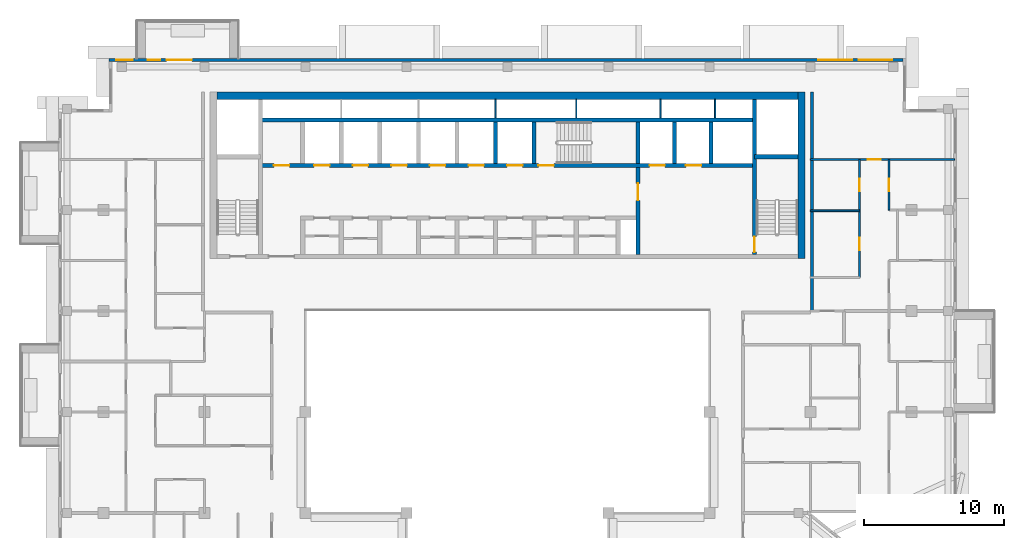
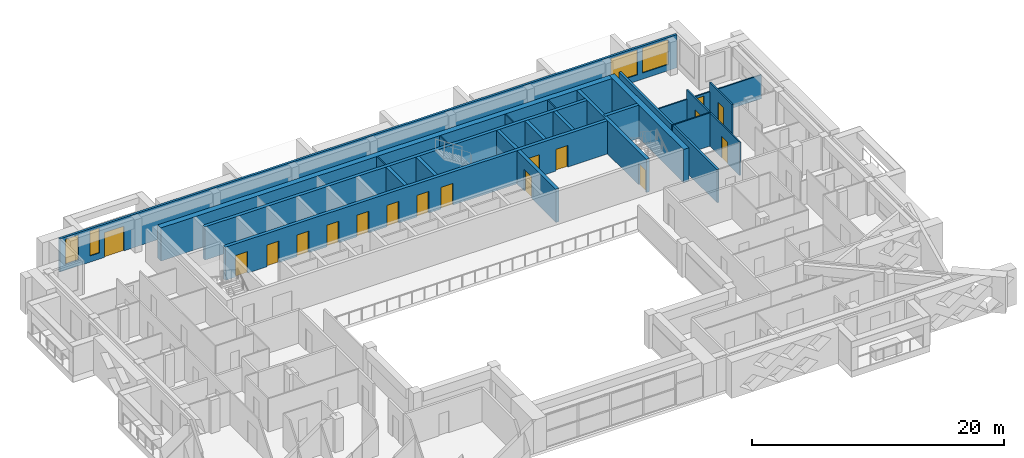
# One storey, part 11 of 19: 22 walls, 17 doors, 4 windows, 21 openings.
"""IFC4 building model written with IfcOpenShell, lengths in metres."""

from ifc_helpers import new_model, si_unit, direction, frame, frame_2d, origin, place, context, subcontext, project, spatial, rectangle, extrude, material, layer, layer_set, type_object, element, fill, save


model = new_model("IFC4")

# Units and contexts
model_context = context("Model", 3, precision=1e-05, world=origin(), true_north=direction((0.0, 1.0)))
body_context = subcontext(model_context, "Body", "Model", "MODEL_VIEW")
ifc_project = project(units=[si_unit("LENGTHUNIT", "METRE"), si_unit("AREAUNIT", "SQUARE_METRE"), si_unit("VOLUMEUNIT", "CUBIC_METRE"), si_unit("PLANEANGLEUNIT", "RADIAN"), si_unit("MASSUNIT", "GRAM", prefix="KILO")], contexts=[model_context])

# Site, building, storey
site_placement = place(None, origin())
site = spatial("IfcSite", under=ifc_project, at=site_placement, CompositionType="ELEMENT")
building_placement = place(site_placement, origin())
building = spatial("IfcBuilding", under=site, at=building_placement, Name="Saffron Iwan Residences", CompositionType="ELEMENT")
storey_placement = place(building_placement, frame((0.0, 0.0, 239.5)))
storey = spatial("IfcBuildingStorey", under=building, at=storey_placement, Name="L64", CompositionType="ELEMENT", Elevation=239.5)

# Wall, openings, door, windows
ifc_material_1 = material(Name="Concrete C40/50", Category="concrete")
ifc_layer_1 = layer(ifc_material_1, 0.199951171875)
ifc_layer_set_1 = layer_set([ifc_layer_1], Name="Concrete C40/50")
wall_type_1 = type_object("IfcWallType", Name="EXTERNAL WALL 200", PredefinedType="SOLIDWALL", material=ifc_layer_set_1)
wall_1_placement = place(storey_placement, frame((78.60009765625, 80.300048828125, 0.0), z_axis=(0.0, 0.0, 1.0), x_axis=(-1.0, 0.0, 0.0)))
wall_1 = element("IfcWall", 1, at=wall_1_placement, inside=storey, type_object=wall_type_1, Name="External wall L64 F5.0", PredefinedType="SOLIDWALL", context=body_context, shape_type="SweptSolid", body=[
    extrude(rectangle(XDim=56.60009765625, YDim=0.199951171875, at=frame_2d((28.300048828125, 0.0))), origin(), (0.0, 0.0, 1.0), 3.219970703125),
])
opening_1_placement = place(wall_1_placement, frame((50.699951171875, 0.0, 0.0)))
opening_1 = element("IfcOpeningElement", 2, at=opening_1_placement, cuts=wall_1, Name="Opening BD1", PredefinedType="OPENING", context=body_context, shape_type="SweptSolid", body=[
    extrude(rectangle(XDim=1.800048828125, YDim=2.39990234375, at=frame_2d((0.89990234375, 1.199951171875))), frame((0.0, 0.10986328125, 0.0), z_axis=(0.0, -1.0, 0.0), x_axis=(1.0, 0.0, 0.0)), (0.0, 0.0, 1.0), 0.219970703125),
])
opening_2_placement = place(wall_1_placement, frame((52.949951171875, 0.0, 0.60009765625)))
opening_2 = element("IfcOpeningElement", 3, at=opening_2_placement, cuts=wall_1, Name="Opening W10", PredefinedType="OPENING", context=body_context, shape_type="SweptSolid", body=[
    extrude(rectangle(XDim=0.89990234375, YDim=2.39990234375, at=frame_2d((0.449951171875, 1.199951171875))), frame((0.0, 0.10986328125, 0.0), z_axis=(0.0, -1.0, 0.0), x_axis=(1.0, 0.0, 0.0)), (0.0, 0.0, 1.0), 0.219970703125),
])
opening_3_placement = place(wall_1_placement, frame((54.89990234375, 0.0, 0.60009765625)))
opening_3 = element("IfcOpeningElement", 4, at=opening_3_placement, cuts=wall_1, Name="Opening W3", PredefinedType="OPENING", context=body_context, shape_type="SweptSolid", body=[
    extrude(rectangle(XDim=1.199951171875, YDim=2.39990234375, at=frame_2d((0.60009765625, 1.199951171875))), frame((0.0, 0.10986328125, 0.0), z_axis=(0.0, -1.0, 0.0), x_axis=(1.0, 0.0, 0.0)), (0.0, 0.0, 1.0), 0.219970703125),
])
opening_4_placement = place(wall_1_placement, frame((0.7666015625, 0.0, 0.60009765625)))
opening_4 = element("IfcOpeningElement", 5, at=opening_4_placement, cuts=wall_1, Name="Opening W1", PredefinedType="OPENING", context=body_context, shape_type="SweptSolid", body=[
    extrude(rectangle(XDim=2.39990234375, YDim=2.39990234375, at=frame_2d((1.199951171875, 1.199951171875))), frame((0.0, 0.10986328125, 0.0), z_axis=(0.0, -1.0, 0.0), x_axis=(1.0, 0.0, 0.0)), (0.0, 0.0, 1.0), 0.219970703125),
])
opening_5_placement = place(wall_1_placement, frame((3.63330078125, 0.0, 0.60009765625)))
opening_5 = element("IfcOpeningElement", 6, at=opening_5_placement, cuts=wall_1, Name="Opening W1", PredefinedType="OPENING", context=body_context, shape_type="SweptSolid", body=[
    extrude(rectangle(XDim=2.39990234375, YDim=2.39990234375, at=frame_2d((1.199951171875, 1.199951171875))), frame((0.0, 0.10986328125, 0.0), z_axis=(0.0, -1.0, 0.0), x_axis=(1.0, 0.0, 0.0)), (0.0, 0.0, 1.0), 0.219970703125),
])
ifc_material_2 = material(Name="Clear glass, laminated double glazed", Category="glass")
door_type_1 = type_object("IfcDoorType", Name="BALCONY DOOR 1800 x 2400", OperationType="DOUBLE_DOOR_SLIDING", PredefinedType="DOOR", material=ifc_material_2)
door_1_placement = place(opening_1_placement, origin())
door_1 = element("IfcDoor", 7, at=door_1_placement, inside=storey, type_object=door_type_1, Name="Balcony door L64 F5.0", OperationType="DOUBLE_DOOR_SLIDING", OverallHeight=2.39990234375, OverallWidth=1.800048828125, PredefinedType="DOOR", context=body_context, shape_type="SweptSolid", body=[
    extrude(rectangle(XDim=1.800048828125, YDim=2.39990234375, at=frame_2d((0.89990234375, 1.199951171875))), frame((0.0, 0.02490234375, 0.0), z_axis=(0.0, -1.0, 0.0), x_axis=(1.0, 0.0, 0.0)), (0.0, 0.0, 1.0), 0.050048828125),
])
fill(opening_1, door_1)
window_type_1 = type_object("IfcWindowType", Name="WINDOW 1200 x 2400", PartitioningType="SINGLE_PANEL", PredefinedType="WINDOW", material=ifc_material_2)
window_1_placement = place(opening_3_placement, origin())
window_1 = element("IfcWindow", 8, at=window_1_placement, inside=storey, type_object=window_type_1, Name="Window L64 F5.2", OverallHeight=2.39990234375, OverallWidth=1.199951171875, PartitioningType="SINGLE_PANEL", PredefinedType="WINDOW", context=body_context, shape_type="SweptSolid", body=[
    extrude(rectangle(XDim=1.199951171875, YDim=2.39990234375, at=frame_2d((0.60009765625, 1.199951171875))), frame((0.0, 0.030029296875, 0.0), z_axis=(0.0, -1.0, 0.0), x_axis=(1.0, 0.0, 0.0)), (0.0, 0.0, 1.0), 0.06005859375),
])
fill(opening_3, window_1)
window_type_2 = type_object("IfcWindowType", Name="WINDOW 2400 x 2400", PartitioningType="DOUBLE_PANEL_VERTICAL", PredefinedType="WINDOW", material=ifc_material_2)
window_2_placement = place(opening_4_placement, origin())
window_2 = element("IfcWindow", 9, at=window_2_placement, inside=storey, type_object=window_type_2, Name="Window L64 F5.3", OverallHeight=2.39990234375, OverallWidth=2.39990234375, PartitioningType="DOUBLE_PANEL_VERTICAL", PredefinedType="WINDOW", context=body_context, shape_type="SweptSolid", body=[
    extrude(rectangle(XDim=2.39990234375, YDim=2.39990234375, at=frame_2d((1.199951171875, 1.199951171875))), frame((0.0, 0.030029296875, 0.0), z_axis=(0.0, -1.0, 0.0), x_axis=(1.0, 0.0, 0.0)), (0.0, 0.0, 1.0), 0.06005859375),
])
fill(opening_4, window_2)
window_3_placement = place(opening_5_placement, origin())
window_3 = element("IfcWindow", 10, at=window_3_placement, inside=storey, type_object=window_type_2, Name="Window L64 F5.4", OverallHeight=2.39990234375, OverallWidth=2.39990234375, PartitioningType="DOUBLE_PANEL_VERTICAL", PredefinedType="WINDOW", context=body_context, shape_type="SweptSolid", body=[
    extrude(rectangle(XDim=2.39990234375, YDim=2.39990234375, at=frame_2d((1.199951171875, 1.199951171875))), frame((0.0, 0.030029296875, 0.0), z_axis=(0.0, -1.0, 0.0), x_axis=(1.0, 0.0, 0.0)), (0.0, 0.0, 1.0), 0.06005859375),
])
fill(opening_5, window_3)
window_type_3 = type_object("IfcWindowType", Name="WINDOW 900 x 2400", PartitioningType="SINGLE_PANEL", PredefinedType="WINDOW", material=ifc_material_2)
window_4_placement = place(opening_2_placement, origin())
window_4 = element("IfcWindow", 11, at=window_4_placement, inside=storey, type_object=window_type_3, Name="Window L64 F5.1", OverallHeight=2.39990234375, OverallWidth=0.89990234375, PartitioningType="SINGLE_PANEL", PredefinedType="WINDOW", context=body_context, shape_type="SweptSolid", body=[
    extrude(rectangle(XDim=0.89990234375, YDim=2.39990234375, at=frame_2d((0.449951171875, 1.199951171875))), frame((0.0, 0.030029296875, 0.0), z_axis=(0.0, -1.0, 0.0), x_axis=(1.0, 0.0, 0.0)), (0.0, 0.0, 1.0), 0.06005859375),
])
fill(opening_2, window_4)

# Wall
ifc_material_3 = material(Name="Gypsum board partition")
ifc_layer_2 = layer(ifc_material_3, 0.1201171875)
ifc_layer_set_2 = layer_set([ifc_layer_2], Name="Gypsum board partition")
wall_type_2 = type_object("IfcWallType", Name="Flat partition 120", PredefinedType="PARTITIONING", material=ifc_layer_set_2)
wall_2_placement = place(storey_placement, frame((72.0, 69.550048828125, 0.0), z_axis=(0.0, 0.0, 1.0), x_axis=(1.0, 0.0, 0.0)))
element("IfcWall", 12, at=wall_2_placement, inside=storey, type_object=wall_type_2, Name="W-L64-PART-h69.55-72", PredefinedType="PARTITIONING", context=body_context, shape_type="SweptSolid", body=[
    extrude(rectangle(XDim=3.5, YDim=0.1201171875, at=frame_2d((1.75, 0.0))), origin(), (0.0, 0.0, 1.0), 3.219970703125),
])

# Wall, opening, door
wall_3_placement = place(storey_placement, frame((72.0, 73.199951171875, 0.0), z_axis=(0.0, 0.0, 1.0), x_axis=(1.0, 0.0, 0.0)))
wall_3 = element("IfcWall", 13, at=wall_3_placement, inside=storey, type_object=wall_type_2, Name="W-L64-PART-h73.2-72", PredefinedType="PARTITIONING", context=body_context, shape_type="SweptSolid", body=[
    extrude(rectangle(XDim=10.27490234375, YDim=0.1201171875, at=frame_2d((5.137451171875, 0.0))), origin(), (0.0, 0.0, 1.0), 2.320068359375),
])
opening_6_placement = place(wall_3_placement, frame((4.10009765625, 0.0, 0.0)))
opening_6 = element("IfcOpeningElement", 14, at=opening_6_placement, cuts=wall_3, Name="Opening FD2", PredefinedType="OPENING", context=body_context, shape_type="SweptSolid", body=[
    extrude(rectangle(XDim=0.89990234375, YDim=2.10009765625, at=frame_2d((0.449951171875, 1.050048828125))), frame((0.0, 0.070068359375, 0.0), z_axis=(0.0, -1.0, 0.0), x_axis=(1.0, 0.0, 0.0)), (0.0, 0.0, 1.0), 0.14013671875),
])
ifc_material_4 = material(Name="Timber door", Category="wood")
door_type_2 = type_object("IfcDoorType", Name="Flat door 900", OperationType="NOTDEFINED", PredefinedType="DOOR", material=ifc_material_4)
door_2_placement = place(opening_6_placement, origin())
door_2 = element("IfcDoor", 15, at=door_2_placement, inside=storey, type_object=door_type_2, Name="Door L64-038", OperationType="SINGLE_SWING_LEFT", OverallHeight=2.10009765625, OverallWidth=0.89990234375, PredefinedType="DOOR", context=body_context, shape_type="SweptSolid", body=[
    extrude(rectangle(XDim=0.89990234375, YDim=2.10009765625, at=frame_2d((0.449951171875, 1.050048828125))), frame((0.0, 0.02490234375, 0.0), z_axis=(0.0, -1.0, 0.0), x_axis=(1.0, 0.0, 0.0)), (0.0, 0.0, 1.0), 0.050048828125),
])
fill(opening_6, door_2)

# Wall, openings, doors
wall_4_placement = place(storey_placement, frame((75.5, 64.800048828125, 0.0), z_axis=(0.0, 0.0, 1.0), x_axis=(0.0, 1.0, 0.0)))
wall_4 = element("IfcWall", 16, at=wall_4_placement, inside=storey, type_object=wall_type_2, Name="W-L64-PART-v75.5-64.8", PredefinedType="PARTITIONING", context=body_context, shape_type="SweptSolid", body=[
    extrude(rectangle(XDim=8.39990234375, YDim=0.1201171875, at=frame_2d((4.199951171875, 0.0))), origin(), (0.0, 0.0, 1.0), 3.219970703125),
])
opening_7_placement = place(wall_4_placement, frame((1.925048828125, 0.0, 0.0)))
opening_7 = element("IfcOpeningElement", 17, at=opening_7_placement, cuts=wall_4, Name="Opening FD2", PredefinedType="OPENING", context=body_context, shape_type="SweptSolid", body=[
    extrude(rectangle(XDim=0.89990234375, YDim=2.10009765625, at=frame_2d((0.449951171875, 1.050048828125))), frame((0.0, 0.070068359375, 0.0), z_axis=(0.0, -1.0, 0.0), x_axis=(1.0, 0.0, 0.0)), (0.0, 0.0, 1.0), 0.14013671875),
])
opening_8_placement = place(wall_4_placement, frame((6.125, 0.0, 0.0)))
opening_8 = element("IfcOpeningElement", 18, at=opening_8_placement, cuts=wall_4, Name="Opening FD2", PredefinedType="OPENING", context=body_context, shape_type="SweptSolid", body=[
    extrude(rectangle(XDim=0.89990234375, YDim=2.10009765625, at=frame_2d((0.449951171875, 1.050048828125))), frame((0.0, 0.070068359375, 0.0), z_axis=(0.0, -1.0, 0.0), x_axis=(1.0, 0.0, 0.0)), (0.0, 0.0, 1.0), 0.14013671875),
])
door_3_placement = place(opening_7_placement, origin())
door_3 = element("IfcDoor", 19, at=door_3_placement, inside=storey, type_object=door_type_2, Name="Door L64-039", OperationType="SINGLE_SWING_RIGHT", OverallHeight=2.10009765625, OverallWidth=0.89990234375, PredefinedType="DOOR", context=body_context, shape_type="SweptSolid", body=[
    extrude(rectangle(XDim=0.89990234375, YDim=2.10009765625, at=frame_2d((0.449951171875, 1.050048828125))), frame((0.0, 0.02490234375, 0.0), z_axis=(0.0, -1.0, 0.0), x_axis=(1.0, 0.0, 0.0)), (0.0, 0.0, 1.0), 0.050048828125),
])
fill(opening_7, door_3)
door_4_placement = place(opening_8_placement, origin())
door_4 = element("IfcDoor", 20, at=door_4_placement, inside=storey, type_object=door_type_2, Name="Door L64-040", OperationType="SINGLE_SWING_LEFT", OverallHeight=2.10009765625, OverallWidth=0.89990234375, PredefinedType="DOOR", context=body_context, shape_type="SweptSolid", body=[
    extrude(rectangle(XDim=0.89990234375, YDim=2.10009765625, at=frame_2d((0.449951171875, 1.050048828125))), frame((0.0, 0.02490234375, 0.0), z_axis=(0.0, -1.0, 0.0), x_axis=(1.0, 0.0, 0.0)), (0.0, 0.0, 1.0), 0.050048828125),
])
fill(opening_8, door_4)

# Wall, opening, door
wall_5_placement = place(storey_placement, frame((77.60009765625, 69.60009765625, 0.0), z_axis=(0.0, 0.0, 1.0), x_axis=(0.0, 1.0, 0.0)))
wall_5 = element("IfcWall", 21, at=wall_5_placement, inside=storey, type_object=wall_type_2, Name="W-L64-PART-v77.6-69.6", PredefinedType="PARTITIONING", context=body_context, shape_type="SweptSolid", body=[
    extrude(rectangle(XDim=3.599853515625, YDim=0.1201171875, at=frame_2d((1.7998046875, 0.0))), origin(), (0.0, 0.0, 1.0), 3.219970703125),
])
opening_9_placement = place(wall_5_placement, frame((1.35009765625, 0.0, 0.0)))
opening_9 = element("IfcOpeningElement", 22, at=opening_9_placement, cuts=wall_5, Name="Opening FD2", PredefinedType="OPENING", context=body_context, shape_type="SweptSolid", body=[
    extrude(rectangle(XDim=0.89990234375, YDim=2.10009765625, at=frame_2d((0.449951171875, 1.050048828125))), frame((0.0, 0.070068359375, 0.0), z_axis=(0.0, -1.0, 0.0), x_axis=(1.0, 0.0, 0.0)), (0.0, 0.0, 1.0), 0.14013671875),
])
door_5_placement = place(opening_9_placement, origin())
door_5 = element("IfcDoor", 23, at=door_5_placement, inside=storey, type_object=door_type_2, Name="Door L64-037", OperationType="SINGLE_SWING_LEFT", OverallHeight=2.10009765625, OverallWidth=0.89990234375, PredefinedType="DOOR", context=body_context, shape_type="SweptSolid", body=[
    extrude(rectangle(XDim=0.89990234375, YDim=2.10009765625, at=frame_2d((0.449951171875, 1.050048828125))), frame((0.0, 0.02490234375, 0.0), z_axis=(0.0, -1.0, 0.0), x_axis=(1.0, 0.0, 0.0)), (0.0, 0.0, 1.0), 0.050048828125),
])
fill(opening_9, door_5)

# Walls
ifc_material_5 = material(Name="Fire-rated gypsum board wall")
ifc_layer_3 = layer(ifc_material_5, 0.199951171875)
ifc_layer_set_3 = layer_set([ifc_layer_3], Name="Fire-rated gypsum board wall")
wall_type_3 = type_object("IfcWallType", Name="Gallery wall 200", PredefinedType="SOLIDWALL", material=ifc_layer_set_3)
wall_6_placement = place(storey_placement, frame((72.10009765625, 62.39990234375, 0.0), z_axis=(0.0, 0.0, 1.0), x_axis=(0.0, 1.0, 0.0)))
element("IfcWall", 24, at=wall_6_placement, inside=storey, type_object=wall_type_3, Name="W-L64-CORR-v72-62.4", PredefinedType="SOLIDWALL", context=body_context, shape_type="SweptSolid", body=[
    extrude(rectangle(XDim=15.60009765625, YDim=0.199951171875, at=frame_2d((7.800048828125, 0.0))), origin(), (0.0, 0.0, 1.0), 3.219970703125),
])
ifc_material_6 = material(Name="Fire-rated plasterboard partition")
ifc_layer_4 = layer(ifc_material_6, 0.10009765625)
ifc_layer_set_4 = layer_set([ifc_layer_4], Name="Fire-rated plasterboard partition")
wall_type_4 = type_object("IfcWallType", Name="Riser partition 100", PredefinedType="PARTITIONING", material=ifc_layer_set_4)
for number, where, z_axis, x_axis, name in (
    (25, (49.550048828125, 76.175048828125, 0.0), (0.0, 0.0, 1.0), (0.0, 1.0, 0.0), "Core partition P10"),
    (26, (55.300048828125, 76.175048828125, 0.0), (0.0, 0.0, 1.0), (0.0, 1.0, 0.0), "Core partition P11"),
    (27, (61.300048828125, 76.175048828125, 0.0), (0.0, 0.0, 1.0), (0.0, 1.0, 0.0), "Core partition P12"),
    (28, (65.199951171875, 76.175048828125, 0.0), (0.0, 0.0, 1.0), (0.0, 1.0, 0.0), "Core partition P13"),
):
    element("IfcWall", number, at=place(storey_placement, frame(where, z_axis=z_axis, x_axis=x_axis)), inside=storey, type_object=wall_type_4, Name=name, PredefinedType="PARTITIONING", context=body_context, shape_type="SweptSolid", body=[
        extrude(rectangle(XDim=1.324951171875, YDim=0.10009765625, at=frame_2d((0.66259765625, 0.0))), origin(), (0.0, 0.0, 1.0), 3.219970703125),
    ])

# Wall, openings, doors
ifc_layer_5 = layer(ifc_material_1, 0.300048828125)
ifc_layer_set_5 = layer_set([ifc_layer_5], Name="Concrete C40/50")
wall_type_5 = type_object("IfcWallType", Name="WALL CORE 300 C40/50 3220 HIGH", PredefinedType="SHEAR", material=ifc_layer_set_5)
wall_7_placement = place(storey_placement, frame((32.800048828125, 72.77490234375, 0.0), z_axis=(0.0, 0.0, 1.0), x_axis=(1.0, 0.0, 0.0)))
wall_7 = element("IfcWall", 29, at=wall_7_placement, inside=storey, type_object=wall_type_5, Name="Core wall", PredefinedType="SHEAR", context=body_context, shape_type="SweptSolid", body=[
    extrude(rectangle(XDim=35.199951171875, YDim=0.300048828125, at=frame_2d((17.60009765625, 0.0))), origin(), (0.0, 0.0, 1.0), 3.219970703125),
])
opening_10_placement = place(wall_7_placement, frame((19.800048828125, 0.0, 0.0)))
opening_10 = element("IfcOpeningElement", 30, at=opening_10_placement, cuts=wall_7, Name="Opening SD", PredefinedType="OPENING", context=body_context, shape_type="SweptSolid", body=[
    extrude(rectangle(XDim=1.10009765625, YDim=2.10009765625, at=frame_2d((0.550048828125, 1.050048828125))), frame((0.0, 0.16015625, 0.0), z_axis=(0.0, -1.0, 0.0), x_axis=(1.0, 0.0, 0.0)), (0.0, 0.0, 1.0), 0.320068359375),
])
opening_11_placement = place(wall_7_placement, frame((27.72509765625, 0.0, 0.0)))
opening_11 = element("IfcOpeningElement", 31, at=opening_11_placement, cuts=wall_7, Name="Opening LD", PredefinedType="OPENING", context=body_context, shape_type="SweptSolid", body=[
    extrude(rectangle(XDim=1.10009765625, YDim=2.10009765625, at=frame_2d((0.550048828125, 1.050048828125))), frame((0.0, 0.16015625, 0.0), z_axis=(0.0, -1.0, 0.0), x_axis=(1.0, 0.0, 0.0)), (0.0, 0.0, 1.0), 0.320068359375),
])
opening_12_placement = place(wall_7_placement, frame((30.324951171875, 0.0, 0.0)))
opening_12 = element("IfcOpeningElement", 32, at=opening_12_placement, cuts=wall_7, Name="Opening LD", PredefinedType="OPENING", context=body_context, shape_type="SweptSolid", body=[
    extrude(rectangle(XDim=1.10009765625, YDim=2.10009765625, at=frame_2d((0.550048828125, 1.050048828125))), frame((0.0, 0.16015625, 0.0), z_axis=(0.0, -1.0, 0.0), x_axis=(1.0, 0.0, 0.0)), (0.0, 0.0, 1.0), 0.320068359375),
])
opening_13_placement = place(wall_7_placement, frame((3.824951171875, 0.0, 0.0)))
opening_13 = element("IfcOpeningElement", 33, at=opening_13_placement, cuts=wall_7, Name="Opening LD", PredefinedType="OPENING", context=body_context, shape_type="SweptSolid", body=[
    extrude(rectangle(XDim=1.10009765625, YDim=2.10009765625, at=frame_2d((0.550048828125, 1.050048828125))), frame((0.0, 0.16015625, 0.0), z_axis=(0.0, -1.0, 0.0), x_axis=(1.0, 0.0, 0.0)), (0.0, 0.0, 1.0), 0.320068359375),
])
opening_14_placement = place(wall_7_placement, frame((6.574951171875, 0.0, 0.0)))
opening_14 = element("IfcOpeningElement", 34, at=opening_14_placement, cuts=wall_7, Name="Opening LD", PredefinedType="OPENING", context=body_context, shape_type="SweptSolid", body=[
    extrude(rectangle(XDim=1.10009765625, YDim=2.10009765625, at=frame_2d((0.550048828125, 1.050048828125))), frame((0.0, 0.16015625, 0.0), z_axis=(0.0, -1.0, 0.0), x_axis=(1.0, 0.0, 0.0)), (0.0, 0.0, 1.0), 0.320068359375),
])
opening_15_placement = place(wall_7_placement, frame((9.324951171875, 0.0, 0.0)))
opening_15 = element("IfcOpeningElement", 35, at=opening_15_placement, cuts=wall_7, Name="Opening LD", PredefinedType="OPENING", context=body_context, shape_type="SweptSolid", body=[
    extrude(rectangle(XDim=1.10009765625, YDim=2.10009765625, at=frame_2d((0.550048828125, 1.050048828125))), frame((0.0, 0.16015625, 0.0), z_axis=(0.0, -1.0, 0.0), x_axis=(1.0, 0.0, 0.0)), (0.0, 0.0, 1.0), 0.320068359375),
])
opening_16_placement = place(wall_7_placement, frame((12.074951171875, 0.0, 0.0)))
opening_16 = element("IfcOpeningElement", 36, at=opening_16_placement, cuts=wall_7, Name="Opening LD", PredefinedType="OPENING", context=body_context, shape_type="SweptSolid", body=[
    extrude(rectangle(XDim=1.10009765625, YDim=2.10009765625, at=frame_2d((0.550048828125, 1.050048828125))), frame((0.0, 0.16015625, 0.0), z_axis=(0.0, -1.0, 0.0), x_axis=(1.0, 0.0, 0.0)), (0.0, 0.0, 1.0), 0.320068359375),
])
opening_17_placement = place(wall_7_placement, frame((14.824951171875, 0.0, 0.0)))
opening_17 = element("IfcOpeningElement", 37, at=opening_17_placement, cuts=wall_7, Name="Opening LD", PredefinedType="OPENING", context=body_context, shape_type="SweptSolid", body=[
    extrude(rectangle(XDim=1.10009765625, YDim=2.10009765625, at=frame_2d((0.550048828125, 1.050048828125))), frame((0.0, 0.16015625, 0.0), z_axis=(0.0, -1.0, 0.0), x_axis=(1.0, 0.0, 0.0)), (0.0, 0.0, 1.0), 0.320068359375),
])
opening_18_placement = place(wall_7_placement, frame((17.574951171875, 0.0, 0.0)))
opening_18 = element("IfcOpeningElement", 38, at=opening_18_placement, cuts=wall_7, Name="Opening LD", PredefinedType="OPENING", context=body_context, shape_type="SweptSolid", body=[
    extrude(rectangle(XDim=1.10009765625, YDim=2.10009765625, at=frame_2d((0.550048828125, 1.050048828125))), frame((0.0, 0.16015625, 0.0), z_axis=(0.0, -1.0, 0.0), x_axis=(1.0, 0.0, 0.0)), (0.0, 0.0, 1.0), 0.320068359375),
])
opening_19_placement = place(wall_7_placement, frame((0.949951171875, 0.0, 0.0)))
opening_19 = element("IfcOpeningElement", 39, at=opening_19_placement, cuts=wall_7, Name="Opening SR", PredefinedType="OPENING", context=body_context, shape_type="SweptSolid", body=[
    extrude(rectangle(XDim=1.10009765625, YDim=2.10009765625, at=frame_2d((0.550048828125, 1.050048828125))), frame((0.0, 0.16015625, 0.0), z_axis=(0.0, -1.0, 0.0), x_axis=(1.0, 0.0, 0.0)), (0.0, 0.0, 1.0), 0.320068359375),
])
ifc_material_7 = material(Name="Steel fire door", Category="steel")
door_type_3 = type_object("IfcDoorType", Name="Lift landing door 1100", OperationType="SLIDING_TO_LEFT", PredefinedType="DOOR", material=ifc_material_7)
door_6_placement = place(opening_11_placement, origin())
door_6 = element("IfcDoor", 40, at=door_6_placement, inside=storey, type_object=door_type_3, Name="Landing doors FF1", OperationType="SLIDING_TO_LEFT", OverallHeight=2.10009765625, OverallWidth=1.10009765625, PredefinedType="DOOR", context=body_context, shape_type="SweptSolid", body=[
    extrude(rectangle(XDim=1.10009765625, YDim=2.10009765625, at=frame_2d((0.550048828125, 1.050048828125))), frame((0.0, 0.02490234375, 0.0), z_axis=(0.0, -1.0, 0.0), x_axis=(1.0, 0.0, 0.0)), (0.0, 0.0, 1.0), 0.050048828125),
])
fill(opening_11, door_6)
door_7_placement = place(opening_12_placement, origin())
door_7 = element("IfcDoor", 41, at=door_7_placement, inside=storey, type_object=door_type_3, Name="Landing doors FF2", OperationType="SLIDING_TO_LEFT", OverallHeight=2.10009765625, OverallWidth=1.10009765625, PredefinedType="DOOR", context=body_context, shape_type="SweptSolid", body=[
    extrude(rectangle(XDim=1.10009765625, YDim=2.10009765625, at=frame_2d((0.550048828125, 1.050048828125))), frame((0.0, 0.02490234375, 0.0), z_axis=(0.0, -1.0, 0.0), x_axis=(1.0, 0.0, 0.0)), (0.0, 0.0, 1.0), 0.050048828125),
])
fill(opening_12, door_7)
door_8_placement = place(opening_13_placement, origin())
door_8 = element("IfcDoor", 42, at=door_8_placement, inside=storey, type_object=door_type_3, Name="Landing doors HR1", OperationType="SLIDING_TO_LEFT", OverallHeight=2.10009765625, OverallWidth=1.10009765625, PredefinedType="DOOR", context=body_context, shape_type="SweptSolid", body=[
    extrude(rectangle(XDim=1.10009765625, YDim=2.10009765625, at=frame_2d((0.550048828125, 1.050048828125))), frame((0.0, 0.02490234375, 0.0), z_axis=(0.0, -1.0, 0.0), x_axis=(1.0, 0.0, 0.0)), (0.0, 0.0, 1.0), 0.050048828125),
])
fill(opening_13, door_8)
door_9_placement = place(opening_14_placement, origin())
door_9 = element("IfcDoor", 43, at=door_9_placement, inside=storey, type_object=door_type_3, Name="Landing doors HR2", OperationType="SLIDING_TO_LEFT", OverallHeight=2.10009765625, OverallWidth=1.10009765625, PredefinedType="DOOR", context=body_context, shape_type="SweptSolid", body=[
    extrude(rectangle(XDim=1.10009765625, YDim=2.10009765625, at=frame_2d((0.550048828125, 1.050048828125))), frame((0.0, 0.02490234375, 0.0), z_axis=(0.0, -1.0, 0.0), x_axis=(1.0, 0.0, 0.0)), (0.0, 0.0, 1.0), 0.050048828125),
])
fill(opening_14, door_9)
door_10_placement = place(opening_15_placement, origin())
door_10 = element("IfcDoor", 44, at=door_10_placement, inside=storey, type_object=door_type_3, Name="Landing doors HR3", OperationType="SLIDING_TO_LEFT", OverallHeight=2.10009765625, OverallWidth=1.10009765625, PredefinedType="DOOR", context=body_context, shape_type="SweptSolid", body=[
    extrude(rectangle(XDim=1.10009765625, YDim=2.10009765625, at=frame_2d((0.550048828125, 1.050048828125))), frame((0.0, 0.02490234375, 0.0), z_axis=(0.0, -1.0, 0.0), x_axis=(1.0, 0.0, 0.0)), (0.0, 0.0, 1.0), 0.050048828125),
])
fill(opening_15, door_10)
door_11_placement = place(opening_16_placement, origin())
door_11 = element("IfcDoor", 45, at=door_11_placement, inside=storey, type_object=door_type_3, Name="Landing doors HR4", OperationType="SLIDING_TO_LEFT", OverallHeight=2.10009765625, OverallWidth=1.10009765625, PredefinedType="DOOR", context=body_context, shape_type="SweptSolid", body=[
    extrude(rectangle(XDim=1.10009765625, YDim=2.10009765625, at=frame_2d((0.550048828125, 1.050048828125))), frame((0.0, 0.02490234375, 0.0), z_axis=(0.0, -1.0, 0.0), x_axis=(1.0, 0.0, 0.0)), (0.0, 0.0, 1.0), 0.050048828125),
])
fill(opening_16, door_11)
door_12_placement = place(opening_17_placement, origin())
door_12 = element("IfcDoor", 46, at=door_12_placement, inside=storey, type_object=door_type_3, Name="Landing doors HR5", OperationType="SLIDING_TO_LEFT", OverallHeight=2.10009765625, OverallWidth=1.10009765625, PredefinedType="DOOR", context=body_context, shape_type="SweptSolid", body=[
    extrude(rectangle(XDim=1.10009765625, YDim=2.10009765625, at=frame_2d((0.550048828125, 1.050048828125))), frame((0.0, 0.02490234375, 0.0), z_axis=(0.0, -1.0, 0.0), x_axis=(1.0, 0.0, 0.0)), (0.0, 0.0, 1.0), 0.050048828125),
])
fill(opening_17, door_12)
door_13_placement = place(opening_18_placement, origin())
door_13 = element("IfcDoor", 47, at=door_13_placement, inside=storey, type_object=door_type_3, Name="Landing doors HR6", OperationType="SLIDING_TO_LEFT", OverallHeight=2.10009765625, OverallWidth=1.10009765625, PredefinedType="DOOR", context=body_context, shape_type="SweptSolid", body=[
    extrude(rectangle(XDim=1.10009765625, YDim=2.10009765625, at=frame_2d((0.550048828125, 1.050048828125))), frame((0.0, 0.02490234375, 0.0), z_axis=(0.0, -1.0, 0.0), x_axis=(1.0, 0.0, 0.0)), (0.0, 0.0, 1.0), 0.050048828125),
])
fill(opening_18, door_13)
door_type_4 = type_object("IfcDoorType", Name="Service door 1100", OperationType="NOTDEFINED", PredefinedType="DOOR", material=ifc_material_7)
door_14_placement = place(opening_19_placement, origin())
door_14 = element("IfcDoor", 48, at=door_14_placement, inside=storey, type_object=door_type_4, Name="Door Caretaker's room", OperationType="SINGLE_SWING_LEFT", OverallHeight=2.10009765625, OverallWidth=1.10009765625, PredefinedType="DOOR", context=body_context, shape_type="SweptSolid", body=[
    extrude(rectangle(XDim=1.10009765625, YDim=2.10009765625, at=frame_2d((0.550048828125, 1.050048828125))), frame((0.0, 0.02490234375, 0.0), z_axis=(0.0, -1.0, 0.0), x_axis=(1.0, 0.0, 0.0)), (0.0, 0.0, 1.0), 0.050048828125),
])
fill(opening_19, door_14)
door_type_5 = type_object("IfcDoorType", Name="Stair door 1100", OperationType="NOTDEFINED", PredefinedType="DOOR", material=ifc_material_7)
door_15_placement = place(opening_10_placement, origin())
door_15 = element("IfcDoor", 49, at=door_15_placement, inside=storey, type_object=door_type_5, Name="Stair door ST-C", OperationType="SINGLE_SWING_LEFT", OverallHeight=2.10009765625, OverallWidth=1.10009765625, PredefinedType="DOOR", context=body_context, shape_type="SweptSolid", body=[
    extrude(rectangle(XDim=1.10009765625, YDim=2.10009765625, at=frame_2d((0.550048828125, 1.050048828125))), frame((0.0, 0.02490234375, 0.0), z_axis=(0.0, -1.0, 0.0), x_axis=(1.0, 0.0, 0.0)), (0.0, 0.0, 1.0), 0.050048828125),
])
fill(opening_10, door_15)

# Walls
wall_8_placement = place(storey_placement, frame((32.800048828125, 76.02490234375, 0.0), z_axis=(0.0, 0.0, 1.0), x_axis=(1.0, 0.0, 0.0)))
element("IfcWall", 50, at=wall_8_placement, inside=storey, type_object=wall_type_5, Name="Core wall", PredefinedType="SHEAR", context=body_context, shape_type="SweptSolid", body=[
    extrude(rectangle(XDim=35.199951171875, YDim=0.300048828125, at=frame_2d((17.60009765625, 0.0))), origin(), (0.0, 0.0, 1.0), 3.219970703125),
])
wall_9_placement = place(storey_placement, frame((68.0, 73.39990234375, 0.0), z_axis=(0.0, 0.0, 1.0), x_axis=(1.0, 0.0, 0.0)))
element("IfcWall", 51, at=wall_9_placement, inside=storey, type_object=wall_type_5, Name="Core wall", PredefinedType="SHEAR", context=body_context, shape_type="SweptSolid", body=[
    extrude(rectangle(XDim=3.10009765625, YDim=0.300048828125, at=frame_2d((1.550048828125, 0.0))), origin(), (0.0, 0.0, 1.0), 3.219970703125),
])

# Wall, opening, door
wall_10_placement = place(storey_placement, frame((68.0, 66.449951171875, 0.0), z_axis=(0.0, 0.0, 1.0), x_axis=(0.0, 1.0, 0.0)))
wall_10 = element("IfcWall", 52, at=wall_10_placement, inside=storey, type_object=wall_type_5, Name="Core wall", PredefinedType="SHEAR", context=body_context, shape_type="SweptSolid", body=[
    extrude(rectangle(XDim=11.050048828125, YDim=0.300048828125, at=frame_2d((5.52490234375, 0.0))), origin(), (0.0, 0.0, 1.0), 3.219970703125),
])
opening_20_placement = place(wall_10_placement, frame((0.14990234375, 0.0, 0.0)))
opening_20 = element("IfcOpeningElement", 53, at=opening_20_placement, cuts=wall_10, Name="Opening SD", PredefinedType="OPENING", context=body_context, shape_type="SweptSolid", body=[
    extrude(rectangle(XDim=1.10009765625, YDim=2.10009765625, at=frame_2d((0.550048828125, 1.050048828125))), frame((0.0, 0.16015625, 0.0), z_axis=(0.0, -1.0, 0.0), x_axis=(1.0, 0.0, 0.0)), (0.0, 0.0, 1.0), 0.320068359375),
])
door_16_placement = place(opening_20_placement, origin())
door_16 = element("IfcDoor", 54, at=door_16_placement, inside=storey, type_object=door_type_5, Name="Stair door ST-E", OperationType="SINGLE_SWING_RIGHT", OverallHeight=2.10009765625, OverallWidth=1.10009765625, PredefinedType="DOOR", context=body_context, shape_type="SweptSolid", body=[
    extrude(rectangle(XDim=1.10009765625, YDim=2.10009765625, at=frame_2d((0.550048828125, 1.050048828125))), frame((0.0, 0.02490234375, 0.0), z_axis=(0.0, -1.0, 0.0), x_axis=(1.0, 0.0, 0.0)), (0.0, 0.0, 1.0), 0.050048828125),
])
fill(opening_20, door_16)

wall_11_placement = place(storey_placement, frame((59.699951171875, 66.449951171875, 0.0), z_axis=(0.0, 0.0, 1.0), x_axis=(0.0, 1.0, 0.0)))
wall_11 = element("IfcWall", 55, at=wall_11_placement, inside=storey, type_object=wall_type_5, Name="Core wall", PredefinedType="SHEAR", context=body_context, shape_type="SweptSolid", body=[
    extrude(rectangle(XDim=6.175048828125, YDim=0.300048828125, at=frame_2d((3.08740234375, 0.0))), origin(), (0.0, 0.0, 1.0), 3.219970703125),
])
opening_21_placement = place(wall_11_placement, frame((3.85009765625, 0.0, 0.0)))
opening_21 = element("IfcOpeningElement", 56, at=opening_21_placement, cuts=wall_11, Name="Opening FD", PredefinedType="OPENING", context=body_context, shape_type="SweptSolid", body=[
    extrude(rectangle(XDim=1.199951171875, YDim=2.10009765625, at=frame_2d((0.60009765625, 1.050048828125))), frame((0.0, 0.16015625, 0.0), z_axis=(0.0, -1.0, 0.0), x_axis=(1.0, 0.0, 0.0)), (0.0, 0.0, 1.0), 0.320068359375),
])
door_type_6 = type_object("IfcDoorType", Name="Firefighting lobby door 1200", OperationType="NOTDEFINED", PredefinedType="DOOR", material=ifc_material_7)
door_17_placement = place(opening_21_placement, origin())
door_17 = element("IfcDoor", 57, at=door_17_placement, inside=storey, type_object=door_type_6, Name="Firefighting lobby door", OperationType="SINGLE_SWING_LEFT", OverallHeight=2.10009765625, OverallWidth=1.199951171875, PredefinedType="DOOR", context=body_context, shape_type="SweptSolid", body=[
    extrude(rectangle(XDim=1.199951171875, YDim=2.10009765625, at=frame_2d((0.60009765625, 1.050048828125))), frame((0.0, 0.02490234375, 0.0), z_axis=(0.0, -1.0, 0.0), x_axis=(1.0, 0.0, 0.0)), (0.0, 0.0, 1.0), 0.050048828125),
])
fill(opening_21, door_17)

# Walls
for number, where, z_axis, x_axis, name in (
    (58, (59.699951171875, 72.925048828125, 0.0), (0.0, 0.0, 1.0), (0.0, 1.0, 0.0), "Core wall"),
    (59, (49.550048828125, 72.925048828125, 0.0), (0.0, 0.0, 1.0), (0.0, 1.0, 0.0), "Core wall"),
    (60, (52.300048828125, 72.925048828125, 0.0), (0.0, 0.0, 1.0), (0.0, 1.0, 0.0), "Core wall"),
    (61, (62.300048828125, 72.925048828125, 0.0), (0.0, 0.0, 1.0), (0.0, 1.0, 0.0), "Core wall"),
    (62, (64.89990234375, 72.925048828125, 0.0), (0.0, 0.0, 1.0), (0.0, 1.0, 0.0), "Core wall"),
):
    element("IfcWall", number, at=place(storey_placement, frame(where, z_axis=z_axis, x_axis=x_axis)), inside=storey, type_object=wall_type_5, Name=name, PredefinedType="SHEAR", context=body_context, shape_type="SweptSolid", body=[
        extrude(rectangle(XDim=2.949951171875, YDim=0.300048828125, at=frame_2d((1.47509765625, 0.0))), origin(), (0.0, 0.0, 1.0), 3.219970703125),
    ])
ifc_layer_6 = layer(ifc_material_1, 0.5)
ifc_layer_set_6 = layer_set([ifc_layer_6], Name="Concrete C40/50")
wall_type_6 = type_object("IfcWallType", Name="WALL CORE 500 C40/50 3220 HIGH", PredefinedType="SHEAR", material=ifc_layer_set_6)
wall_12_placement = place(storey_placement, frame((71.35009765625, 66.14990234375, 0.0), z_axis=(0.0, 0.0, 1.0), x_axis=(0.0, 1.0, 0.0)))
element("IfcWall", 63, at=wall_12_placement, inside=storey, type_object=wall_type_6, Name="Core wall", PredefinedType="SHEAR", context=body_context, shape_type="SweptSolid", body=[
    extrude(rectangle(XDim=11.85009765625, YDim=0.5, at=frame_2d((5.925048828125, 0.0))), origin(), (0.0, 0.0, 1.0), 3.219970703125),
])
wall_13_placement = place(storey_placement, frame((29.699951171875, 77.75, 0.0), z_axis=(0.0, 0.0, 1.0), x_axis=(1.0, 0.0, 0.0)))
element("IfcWall", 64, at=wall_13_placement, inside=storey, type_object=wall_type_6, Name="Core wall", PredefinedType="SHEAR", context=body_context, shape_type="SweptSolid", body=[
    extrude(rectangle(XDim=41.400146484375, YDim=0.5, at=frame_2d((20.7001953125, 0.0))), origin(), (0.0, 0.0, 1.0), 3.219970703125),
])

save(model, "model.ifc")
